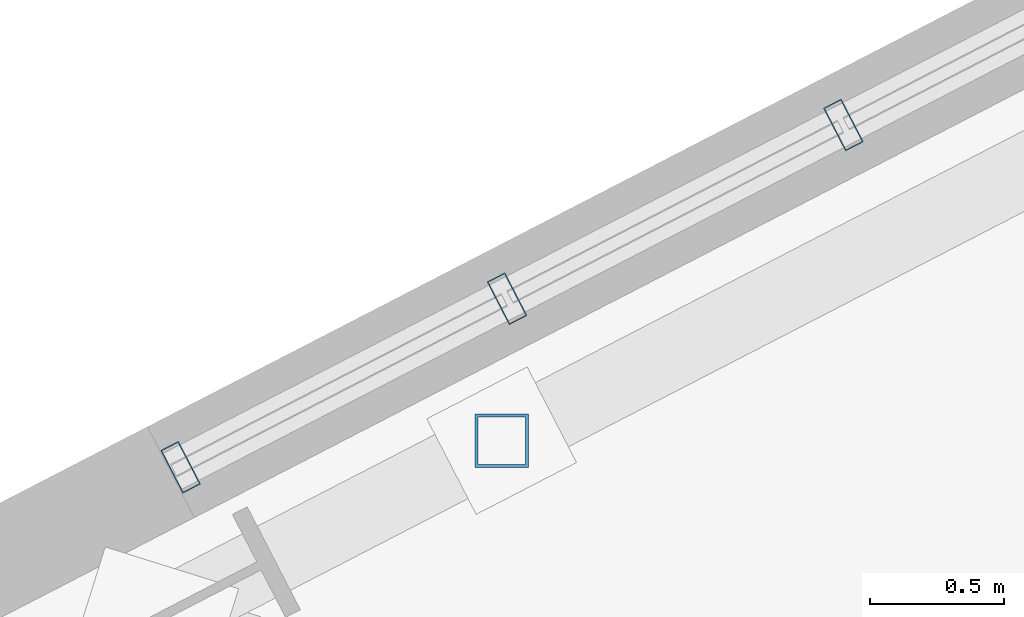
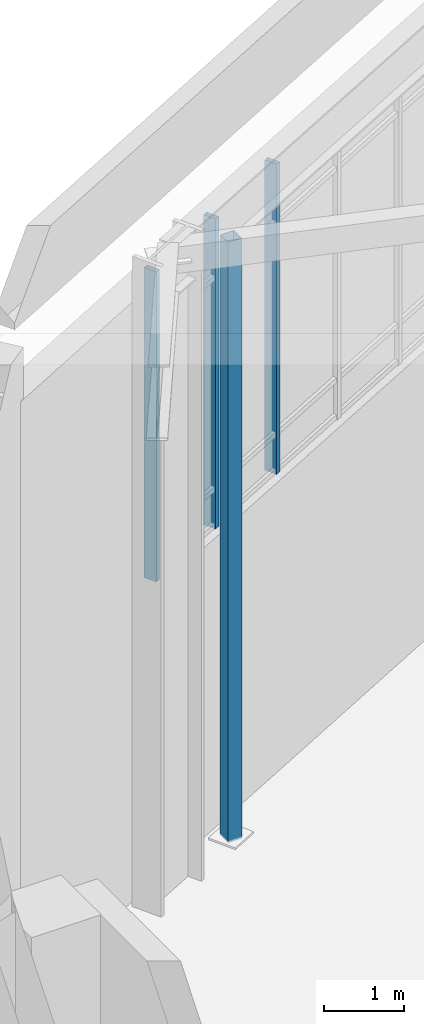
# One storey, part 10 of 23: 4 members, 1 element without a shape of its own.
"""IFC4 building model written with IfcOpenShell, lengths in metres."""

from ifc_helpers import new_model, si_unit, direction, frame, origin, origin_2d, place, context, subcontext, project, spatial, hollow_rectangle, extrude, material, layer, layer_set, material_profile, profile_set, type_object, element, aggregate, save


model = new_model("IFC4")

# Units and contexts
model_context = context("Model", 3, precision=1e-05, world=origin(), true_north=direction((0.0, 1.0)))
body_context = subcontext(model_context, "Body", "Model", "MODEL_VIEW")
ifc_project = project(units=[si_unit("LENGTHUNIT", "METRE"), si_unit("AREAUNIT", "SQUARE_METRE"), si_unit("VOLUMEUNIT", "CUBIC_METRE"), si_unit("PLANEANGLEUNIT", "RADIAN"), si_unit("MASSUNIT", "GRAM", prefix="KILO"), si_unit("THERMODYNAMICTEMPERATUREUNIT", "KELVIN"), si_unit("POWERUNIT", "WATT")], contexts=[model_context])

# Site, building, storey
site_placement = place(None, origin())
site = spatial("IfcSite", under=ifc_project, at=site_placement, CompositionType="ELEMENT")
building_placement = place(site_placement, origin())
building = spatial("IfcBuilding", under=site, at=building_placement, Name="Skarre Station Tower", CompositionType="ELEMENT")
storey_placement = place(building_placement, frame((0.0, 0.0, 291.300048828125)))
storey = spatial("IfcBuildingStorey", under=building, at=storey_placement, Name="RF", CompositionType="ELEMENT", Elevation=291.300048828125)

# Curtain wall, members
ifc_material_1 = material(Name="Thermally Broken Bronze-Anodized Aluminium & Triple Low-E Glass", Category="aluminium")
ifc_layer = layer(ifc_material_1, 0.179931640625, Name="Thermally Broken Bronze-Anodized Aluminium & Triple Low-E Glass")
ifc_layer_set = layer_set([ifc_layer], Name="Thermally Broken Bronze-Anodized Aluminium & Triple Low-E Glass")
curtain_wall_type = type_object("IfcCurtainWallType", Name="Nordic Bronze Crown Lantern Stick Curtain Wall", PredefinedType="NOTDEFINED", material=ifc_layer_set)
curtain_wall_placement = place(storey_placement, origin())
curtain_wall = element("IfcCurtainWall", 1, at=curtain_wall_placement, inside=storey, type_object=curtain_wall_type, Name="RF Crown Lantern Facet 1 Curtain Wall", PredefinedType="NOTDEFINED")
ifc_material_2 = material(Name="Anodized Aluminium 6063-T6", Category="aluminium")
ifc_material_profile_1 = material_profile(ifc_material_2, hollow_rectangle(XDim=0.074951171875, YDim=0.179931640625, WallThickness=0.00390625, at=origin_2d()), Name="Anodized Aluminium 6063-T6")
ifc_profile_set_1 = profile_set([ifc_material_profile_1], Name="Anodized Aluminium 6063-T6")
member_type_1 = type_object("IfcMemberType", Name="Curtain-Wall Unitised Tower Mullion 180x75", PredefinedType="MULLION", material=ifc_profile_set_1)
member_1_placement = place(storey_placement, frame((20.56494140625, 35.863037109375, 4.39990234375), z_axis=(0.0, 0.0, 1.0), x_axis=(0.888649250269, 0.458587516181, 0.0)))
member_1 = element("IfcMember", 2, at=member_1_placement, type_object=member_type_1, Name="RF Crown Lantern Facet 1 Curtain Wall Mullion 1", PredefinedType="MULLION", context=body_context, shape_type="SweptSolid", body=[
    extrude(hollow_rectangle(XDim=0.074951171875, YDim=0.179931640625, WallThickness=0.00390625, at=origin_2d()), origin(), (0.0, 0.0, 1.0), 4.7099609375),
])
member_2_placement = place(storey_placement, frame((21.779052734375, 36.489990234375, 4.39990234375), z_axis=(0.0, 0.0, 1.0), x_axis=(0.888649250269, 0.458587516181, 0.0)))
member_2 = element("IfcMember", 3, at=member_2_placement, type_object=member_type_1, Name="RF Crown Lantern Facet 1 Curtain Wall Mullion 2", PredefinedType="MULLION", context=body_context, shape_type="SweptSolid", body=[
    extrude(hollow_rectangle(XDim=0.074951171875, YDim=0.179931640625, WallThickness=0.00390625, at=origin_2d()), origin(), (0.0, 0.0, 1.0), 4.7099609375),
])
member_3_placement = place(storey_placement, frame((23.030029296875, 37.135986328125, 4.39990234375), z_axis=(0.0, 0.0, 1.0), x_axis=(0.888649250269, 0.458587516181, 0.0)))
member_3 = element("IfcMember", 4, at=member_3_placement, type_object=member_type_1, Name="RF Crown Lantern Facet 1 Curtain Wall Mullion 3", PredefinedType="MULLION", context=body_context, shape_type="SweptSolid", body=[
    extrude(hollow_rectangle(XDim=0.074951171875, YDim=0.179931640625, WallThickness=0.00390625, at=origin_2d()), origin(), (0.0, 0.0, 1.0), 4.7099609375),
])
aggregate(curtain_wall, [member_1, member_2, member_3])

# Member
ifc_material_3 = material(Name="Steel ASTM A500 Grade C", Category="steel")
ifc_material_profile_2 = material_profile(ifc_material_3, hollow_rectangle(XDim=0.199951171875, YDim=0.199951171875, WallThickness=0.011962890625, at=origin_2d()), Name="Steel ASTM A500 Grade C")
ifc_profile_set_2 = profile_set([ifc_material_profile_2], Name="Steel ASTM A500 Grade C")
member_type_2 = type_object("IfcMemberType", Name="Steel Truss Strut HSS200X200X12", PredefinedType="STRUT", material=ifc_profile_set_2)
member_4_placement = place(storey_placement, frame((21.759033203125, 35.9619140625, 0.0), z_axis=(0.0, 0.0, 1.0), x_axis=(1.0, 0.0, 0.0)))
element("IfcMember", 5, at=member_4_placement, inside=storey, type_object=member_type_2, Name="RF Crown Pier Post 3B", PredefinedType="STRUT", context=body_context, shape_type="SweptSolid", body=[
    extrude(hollow_rectangle(XDim=0.199951171875, YDim=0.199951171875, WallThickness=0.011962890625, at=origin_2d()), origin(), (0.0, 0.0, 1.0), 9.119873046875),
])

save(model, "model.ifc")
